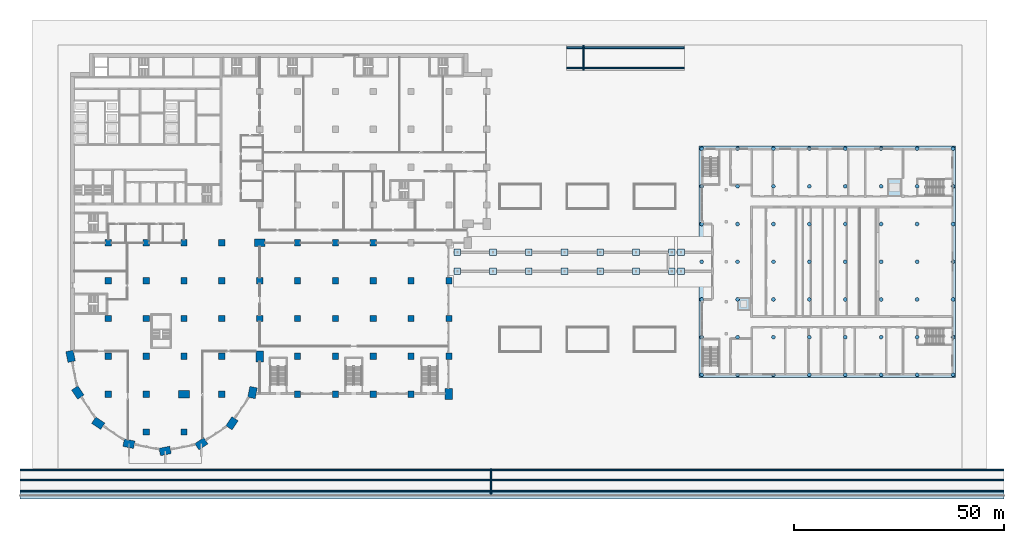
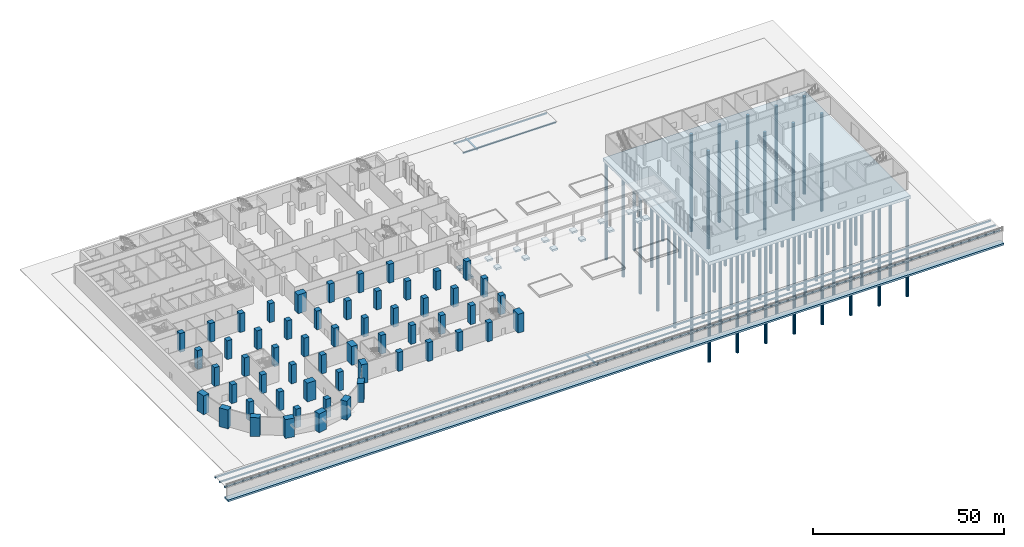
# One storey, part 1 of 47: 57 columns, 56 piles, 25 footings.
"""IFC4 building model written with IfcOpenShell, lengths in metres."""

from ifc_helpers import new_model, si_unit, direction, frame, origin, origin_2d, place, context, subcontext, project, spatial, polyline, rectangle, circle, outline, extrude, material, layer, layer_set, material_profile, profile_set, type_object, element, save


model = new_model("IFC4")

# Units and contexts
model_context = context("Model", 3, precision=1e-05, world=origin(), true_north=direction((0.0, 1.0)))
body_context = subcontext(model_context, "Body", "Model", "MODEL_VIEW")
ifc_project = project(units=[si_unit("LENGTHUNIT", "METRE"), si_unit("AREAUNIT", "SQUARE_METRE"), si_unit("VOLUMEUNIT", "CUBIC_METRE"), si_unit("PLANEANGLEUNIT", "RADIAN"), si_unit("MASSUNIT", "GRAM", prefix="KILO")], contexts=[model_context])

# Site, building, storey
site_placement = place(None, origin())
site = spatial("IfcSite", under=ifc_project, at=site_placement, CompositionType="ELEMENT")
building_placement = place(site_placement, origin())
building = spatial("IfcBuilding", under=site, at=building_placement, Name="Hunhe Ridgeline Campus", CompositionType="ELEMENT")
storey_placement = place(building_placement, origin())
storey = spatial("IfcBuildingStorey", under=building, at=storey_placement, Name="L00", CompositionType="ELEMENT", Elevation=0.0)

# Footings
ifc_material_1 = material(Name="Concrete C40", Category="concrete")
ifc_layer_1 = layer(ifc_material_1, 0.60009765625)
ifc_layer_set_1 = layer_set([ifc_layer_1], Name="Canopy pad footing 1600x1600 C40")
footing_type_1 = type_object("IfcFootingType", Name="Canopy pad footing 1600x1600 C40", PredefinedType="PAD_FOOTING", material=ifc_layer_set_1)
footing_1_placement = place(storey_placement, frame((0.0, 0.0, -1.699951171875)))
element("IfcFooting", 1, at=footing_1_placement, inside=storey, type_object=footing_type_1, Name="Canopy pad footing 1", PredefinedType="PAD_FOOTING", context=body_context, shape_type="SweptSolid", body=[
    extrude(outline(polyline([(92.800048828125, 46.449951171875), (92.800048828125, 48.050048828125), (91.199951171875, 48.050048828125), (91.199951171875, 46.449951171875), (92.800048828125, 46.449951171875)])), origin(), (0.0, 0.0, 1.0), 0.599853515625),
])
footing_2_placement = place(storey_placement, frame((0.0, 0.0, -1.699951171875)))
element("IfcFooting", 2, at=footing_2_placement, inside=storey, type_object=footing_type_1, Name="Canopy pad footing 2", PredefinedType="PAD_FOOTING", context=body_context, shape_type="SweptSolid", body=[
    extrude(outline(polyline([(92.800048828125, 50.949951171875), (92.800048828125, 52.550048828125), (91.199951171875, 52.550048828125), (91.199951171875, 50.949951171875), (92.800048828125, 50.949951171875)])), origin(), (0.0, 0.0, 1.0), 0.599853515625),
])
footing_3_placement = place(storey_placement, frame((0.0, 0.0, -1.699951171875)))
element("IfcFooting", 3, at=footing_3_placement, inside=storey, type_object=footing_type_1, Name="Canopy pad footing 3", PredefinedType="PAD_FOOTING", context=body_context, shape_type="SweptSolid", body=[
    extrude(outline(polyline([(101.300048828125, 46.449951171875), (101.300048828125, 48.050048828125), (99.699951171875, 48.050048828125), (99.699951171875, 46.449951171875), (101.300048828125, 46.449951171875)])), origin(), (0.0, 0.0, 1.0), 0.599853515625),
])
footing_4_placement = place(storey_placement, frame((0.0, 0.0, -1.699951171875)))
element("IfcFooting", 4, at=footing_4_placement, inside=storey, type_object=footing_type_1, Name="Canopy pad footing 4", PredefinedType="PAD_FOOTING", context=body_context, shape_type="SweptSolid", body=[
    extrude(outline(polyline([(101.300048828125, 50.949951171875), (101.300048828125, 52.550048828125), (99.699951171875, 52.550048828125), (99.699951171875, 50.949951171875), (101.300048828125, 50.949951171875)])), origin(), (0.0, 0.0, 1.0), 0.599853515625),
])
footing_5_placement = place(storey_placement, frame((0.0, 0.0, -1.699951171875)))
element("IfcFooting", 5, at=footing_5_placement, inside=storey, type_object=footing_type_1, Name="Canopy pad footing 5", PredefinedType="PAD_FOOTING", context=body_context, shape_type="SweptSolid", body=[
    extrude(outline(polyline([(109.800048828125, 46.449951171875), (109.800048828125, 48.050048828125), (108.199951171875, 48.050048828125), (108.199951171875, 46.449951171875), (109.800048828125, 46.449951171875)])), origin(), (0.0, 0.0, 1.0), 0.599853515625),
])
footing_6_placement = place(storey_placement, frame((0.0, 0.0, -1.699951171875)))
element("IfcFooting", 6, at=footing_6_placement, inside=storey, type_object=footing_type_1, Name="Canopy pad footing 6", PredefinedType="PAD_FOOTING", context=body_context, shape_type="SweptSolid", body=[
    extrude(outline(polyline([(109.800048828125, 50.949951171875), (109.800048828125, 52.550048828125), (108.199951171875, 52.550048828125), (108.199951171875, 50.949951171875), (109.800048828125, 50.949951171875)])), origin(), (0.0, 0.0, 1.0), 0.599853515625),
])
footing_7_placement = place(storey_placement, frame((0.0, 0.0, -1.699951171875)))
element("IfcFooting", 7, at=footing_7_placement, inside=storey, type_object=footing_type_1, Name="Canopy pad footing 7", PredefinedType="PAD_FOOTING", context=body_context, shape_type="SweptSolid", body=[
    extrude(outline(polyline([(118.300048828125, 46.449951171875), (118.300048828125, 48.050048828125), (116.699951171875, 48.050048828125), (116.699951171875, 46.449951171875), (118.300048828125, 46.449951171875)])), origin(), (0.0, 0.0, 1.0), 0.599853515625),
])
footing_8_placement = place(storey_placement, frame((0.0, 0.0, -1.699951171875)))
element("IfcFooting", 8, at=footing_8_placement, inside=storey, type_object=footing_type_1, Name="Canopy pad footing 8", PredefinedType="PAD_FOOTING", context=body_context, shape_type="SweptSolid", body=[
    extrude(outline(polyline([(118.300048828125, 50.949951171875), (118.300048828125, 52.550048828125), (116.699951171875, 52.550048828125), (116.699951171875, 50.949951171875), (118.300048828125, 50.949951171875)])), origin(), (0.0, 0.0, 1.0), 0.599853515625),
])
footing_9_placement = place(storey_placement, frame((0.0, 0.0, -1.699951171875)))
element("IfcFooting", 9, at=footing_9_placement, inside=storey, type_object=footing_type_1, Name="Canopy pad footing 9", PredefinedType="PAD_FOOTING", context=body_context, shape_type="SweptSolid", body=[
    extrude(outline(polyline([(126.800048828125, 46.449951171875), (126.800048828125, 48.050048828125), (125.199951171875, 48.050048828125), (125.199951171875, 46.449951171875), (126.800048828125, 46.449951171875)])), origin(), (0.0, 0.0, 1.0), 0.599853515625),
])
footing_10_placement = place(storey_placement, frame((0.0, 0.0, -1.699951171875)))
element("IfcFooting", 10, at=footing_10_placement, inside=storey, type_object=footing_type_1, Name="Canopy pad footing 10", PredefinedType="PAD_FOOTING", context=body_context, shape_type="SweptSolid", body=[
    extrude(outline(polyline([(126.800048828125, 50.949951171875), (126.800048828125, 52.550048828125), (125.199951171875, 52.550048828125), (125.199951171875, 50.949951171875), (126.800048828125, 50.949951171875)])), origin(), (0.0, 0.0, 1.0), 0.599853515625),
])
footing_11_placement = place(storey_placement, frame((0.0, 0.0, -1.699951171875)))
element("IfcFooting", 11, at=footing_11_placement, inside=storey, type_object=footing_type_1, Name="Canopy pad footing 11", PredefinedType="PAD_FOOTING", context=body_context, shape_type="SweptSolid", body=[
    extrude(outline(polyline([(135.300048828125, 46.449951171875), (135.300048828125, 48.050048828125), (133.699951171875, 48.050048828125), (133.699951171875, 46.449951171875), (135.300048828125, 46.449951171875)])), origin(), (0.0, 0.0, 1.0), 0.599853515625),
])
footing_12_placement = place(storey_placement, frame((0.0, 0.0, -1.699951171875)))
element("IfcFooting", 12, at=footing_12_placement, inside=storey, type_object=footing_type_1, Name="Canopy pad footing 12", PredefinedType="PAD_FOOTING", context=body_context, shape_type="SweptSolid", body=[
    extrude(outline(polyline([(135.300048828125, 50.949951171875), (135.300048828125, 52.550048828125), (133.699951171875, 52.550048828125), (133.699951171875, 50.949951171875), (135.300048828125, 50.949951171875)])), origin(), (0.0, 0.0, 1.0), 0.599853515625),
])
footing_13_placement = place(storey_placement, frame((0.0, 0.0, -1.699951171875)))
element("IfcFooting", 13, at=footing_13_placement, inside=storey, type_object=footing_type_1, Name="Canopy pad footing 13", PredefinedType="PAD_FOOTING", context=body_context, shape_type="SweptSolid", body=[
    extrude(outline(polyline([(143.800048828125, 46.449951171875), (143.800048828125, 48.050048828125), (142.199951171875, 48.050048828125), (142.199951171875, 46.449951171875), (143.800048828125, 46.449951171875)])), origin(), (0.0, 0.0, 1.0), 0.599853515625),
])
footing_14_placement = place(storey_placement, frame((0.0, 0.0, -1.699951171875)))
element("IfcFooting", 14, at=footing_14_placement, inside=storey, type_object=footing_type_1, Name="Canopy pad footing 14", PredefinedType="PAD_FOOTING", context=body_context, shape_type="SweptSolid", body=[
    extrude(outline(polyline([(143.800048828125, 50.949951171875), (143.800048828125, 52.550048828125), (142.199951171875, 52.550048828125), (142.199951171875, 50.949951171875), (143.800048828125, 50.949951171875)])), origin(), (0.0, 0.0, 1.0), 0.599853515625),
])
footing_15_placement = place(storey_placement, frame((0.0, 0.0, -1.699951171875)))
element("IfcFooting", 15, at=footing_15_placement, inside=storey, type_object=footing_type_1, Name="Canopy pad footing 15", PredefinedType="PAD_FOOTING", context=body_context, shape_type="SweptSolid", body=[
    extrude(outline(polyline([(146.0, 46.449951171875), (146.0, 48.050048828125), (144.39990234375, 48.050048828125), (144.39990234375, 46.449951171875), (146.0, 46.449951171875)])), origin(), (0.0, 0.0, 1.0), 0.599853515625),
])
footing_16_placement = place(storey_placement, frame((0.0, 0.0, -1.699951171875)))
element("IfcFooting", 16, at=footing_16_placement, inside=storey, type_object=footing_type_1, Name="Canopy pad footing 16", PredefinedType="PAD_FOOTING", context=body_context, shape_type="SweptSolid", body=[
    extrude(outline(polyline([(146.0, 50.949951171875), (146.0, 52.550048828125), (144.39990234375, 52.550048828125), (144.39990234375, 50.949951171875), (146.0, 50.949951171875)])), origin(), (0.0, 0.0, 1.0), 0.599853515625),
])

# Piles
ifc_material_2 = material(Name="Concrete C35", Category="concrete")
ifc_material_profile_1 = material_profile(ifc_material_2, circle(Radius=0.449951171875, at=origin_2d()))
ifc_profile_set_1 = profile_set([ifc_material_profile_1], Name="Concrete C35")
pile_type = type_object("IfcPileType", Name="Hall bored pile D900 Concrete C35", PredefinedType="BORED", material=ifc_profile_set_1)
for number, where, z_axis, x_axis, name in (
    (17, (150.10009765625, 22.60009765625, -2.800048828125), (0.0, 0.0, -1.0), (1.0, 0.0, 0.0), "Hall bored pile 1"),
    (18, (150.10009765625, 31.56689453125, -2.800048828125), (0.0, 0.0, -1.0), (1.0, 0.0, 0.0), "Hall bored pile 2"),
    (19, (150.10009765625, 40.532958984375, -2.800048828125), (0.0, 0.0, -1.0), (1.0, 0.0, 0.0), "Hall bored pile 3"),
    (20, (150.10009765625, 49.5, -2.800048828125), (0.0, 0.0, -1.0), (1.0, 0.0, 0.0), "Hall bored pile 4"),
    (21, (150.10009765625, 58.467041015625, -2.800048828125), (0.0, 0.0, -1.0), (1.0, 0.0, 0.0), "Hall bored pile 5"),
    (22, (150.10009765625, 67.43310546875, -2.800048828125), (0.0, 0.0, -1.0), (1.0, 0.0, 0.0), "Hall bored pile 6"),
    (23, (150.10009765625, 76.39990234375, -2.800048828125), (0.0, 0.0, -1.0), (1.0, 0.0, 0.0), "Hall bored pile 7"),
    (24, (158.64306640625, 22.60009765625, -2.800048828125), (0.0, 0.0, -1.0), (1.0, 0.0, 0.0), "Hall bored pile 8"),
    (25, (158.64306640625, 31.56689453125, -2.800048828125), (0.0, 0.0, -1.0), (1.0, 0.0, 0.0), "Hall bored pile 9"),
    (26, (158.64306640625, 40.532958984375, -2.800048828125), (0.0, 0.0, -1.0), (1.0, 0.0, 0.0), "Hall bored pile 10"),
    (27, (158.64306640625, 49.5, -2.800048828125), (0.0, 0.0, -1.0), (1.0, 0.0, 0.0), "Hall bored pile 11"),
    (28, (158.64306640625, 58.467041015625, -2.800048828125), (0.0, 0.0, -1.0), (1.0, 0.0, 0.0), "Hall bored pile 12"),
    (29, (158.64306640625, 67.43310546875, -2.800048828125), (0.0, 0.0, -1.0), (1.0, 0.0, 0.0), "Hall bored pile 13"),
    (30, (158.64306640625, 76.39990234375, -2.800048828125), (0.0, 0.0, -1.0), (1.0, 0.0, 0.0), "Hall bored pile 14"),
    (31, (167.18603515625, 22.60009765625, -2.800048828125), (0.0, 0.0, -1.0), (1.0, 0.0, 0.0), "Hall bored pile 15"),
    (32, (167.18603515625, 31.56689453125, -2.800048828125), (0.0, 0.0, -1.0), (1.0, 0.0, 0.0), "Hall bored pile 16"),
    (33, (167.18603515625, 40.532958984375, -2.800048828125), (0.0, 0.0, -1.0), (1.0, 0.0, 0.0), "Hall bored pile 17"),
    (34, (167.18603515625, 49.5, -2.800048828125), (0.0, 0.0, -1.0), (1.0, 0.0, 0.0), "Hall bored pile 18"),
    (35, (167.18603515625, 58.467041015625, -2.800048828125), (0.0, 0.0, -1.0), (1.0, 0.0, 0.0), "Hall bored pile 19"),
    (36, (167.18603515625, 67.43310546875, -2.800048828125), (0.0, 0.0, -1.0), (1.0, 0.0, 0.0), "Hall bored pile 20"),
    (37, (167.18603515625, 76.39990234375, -2.800048828125), (0.0, 0.0, -1.0), (1.0, 0.0, 0.0), "Hall bored pile 21"),
    (38, (175.72900390625, 22.60009765625, -2.800048828125), (0.0, 0.0, -1.0), (1.0, 0.0, 0.0), "Hall bored pile 22"),
    (39, (175.72900390625, 31.56689453125, -2.800048828125), (0.0, 0.0, -1.0), (1.0, 0.0, 0.0), "Hall bored pile 23"),
    (40, (175.72900390625, 40.532958984375, -2.800048828125), (0.0, 0.0, -1.0), (1.0, 0.0, 0.0), "Hall bored pile 24"),
    (41, (175.72900390625, 49.5, -2.800048828125), (0.0, 0.0, -1.0), (1.0, 0.0, 0.0), "Hall bored pile 25"),
    (42, (175.72900390625, 58.467041015625, -2.800048828125), (0.0, 0.0, -1.0), (1.0, 0.0, 0.0), "Hall bored pile 26"),
    (43, (175.72900390625, 67.43310546875, -2.800048828125), (0.0, 0.0, -1.0), (1.0, 0.0, 0.0), "Hall bored pile 27"),
    (44, (175.72900390625, 76.39990234375, -2.800048828125), (0.0, 0.0, -1.0), (1.0, 0.0, 0.0), "Hall bored pile 28"),
    (45, (184.27099609375, 22.60009765625, -2.800048828125), (0.0, 0.0, -1.0), (1.0, 0.0, 0.0), "Hall bored pile 29"),
    (46, (184.27099609375, 31.56689453125, -2.800048828125), (0.0, 0.0, -1.0), (1.0, 0.0, 0.0), "Hall bored pile 30"),
    (47, (184.27099609375, 40.532958984375, -2.800048828125), (0.0, 0.0, -1.0), (1.0, 0.0, 0.0), "Hall bored pile 31"),
    (48, (184.27099609375, 49.5, -2.800048828125), (0.0, 0.0, -1.0), (1.0, 0.0, 0.0), "Hall bored pile 32"),
    (49, (184.27099609375, 58.467041015625, -2.800048828125), (0.0, 0.0, -1.0), (1.0, 0.0, 0.0), "Hall bored pile 33"),
    (50, (184.27099609375, 67.43310546875, -2.800048828125), (0.0, 0.0, -1.0), (1.0, 0.0, 0.0), "Hall bored pile 34"),
    (51, (184.27099609375, 76.39990234375, -2.800048828125), (0.0, 0.0, -1.0), (1.0, 0.0, 0.0), "Hall bored pile 35"),
    (52, (192.81396484375, 22.60009765625, -2.800048828125), (0.0, 0.0, -1.0), (1.0, 0.0, 0.0), "Hall bored pile 36"),
    (53, (192.81396484375, 31.56689453125, -2.800048828125), (0.0, 0.0, -1.0), (1.0, 0.0, 0.0), "Hall bored pile 37"),
    (54, (192.81396484375, 40.532958984375, -2.800048828125), (0.0, 0.0, -1.0), (1.0, 0.0, 0.0), "Hall bored pile 38"),
    (55, (192.81396484375, 49.5, -2.800048828125), (0.0, 0.0, -1.0), (1.0, 0.0, 0.0), "Hall bored pile 39"),
    (56, (192.81396484375, 58.467041015625, -2.800048828125), (0.0, 0.0, -1.0), (1.0, 0.0, 0.0), "Hall bored pile 40"),
    (57, (192.81396484375, 67.43310546875, -2.800048828125), (0.0, 0.0, -1.0), (1.0, 0.0, 0.0), "Hall bored pile 41"),
    (58, (192.81396484375, 76.39990234375, -2.800048828125), (0.0, 0.0, -1.0), (1.0, 0.0, 0.0), "Hall bored pile 42"),
    (59, (201.35693359375, 22.60009765625, -2.800048828125), (0.0, 0.0, -1.0), (1.0, 0.0, 0.0), "Hall bored pile 43"),
    (60, (201.35693359375, 31.56689453125, -2.800048828125), (0.0, 0.0, -1.0), (1.0, 0.0, 0.0), "Hall bored pile 44"),
    (61, (201.35693359375, 40.532958984375, -2.800048828125), (0.0, 0.0, -1.0), (1.0, 0.0, 0.0), "Hall bored pile 45"),
    (62, (201.35693359375, 49.5, -2.800048828125), (0.0, 0.0, -1.0), (1.0, 0.0, 0.0), "Hall bored pile 46"),
    (63, (201.35693359375, 58.467041015625, -2.800048828125), (0.0, 0.0, -1.0), (1.0, 0.0, 0.0), "Hall bored pile 47"),
    (64, (201.35693359375, 67.43310546875, -2.800048828125), (0.0, 0.0, -1.0), (1.0, 0.0, 0.0), "Hall bored pile 48"),
    (65, (201.35693359375, 76.39990234375, -2.800048828125), (0.0, 0.0, -1.0), (1.0, 0.0, 0.0), "Hall bored pile 49"),
    (66, (209.89990234375, 22.60009765625, -2.800048828125), (0.0, 0.0, -1.0), (1.0, 0.0, 0.0), "Hall bored pile 50"),
    (67, (209.89990234375, 31.56689453125, -2.800048828125), (0.0, 0.0, -1.0), (1.0, 0.0, 0.0), "Hall bored pile 51"),
    (68, (209.89990234375, 40.532958984375, -2.800048828125), (0.0, 0.0, -1.0), (1.0, 0.0, 0.0), "Hall bored pile 52"),
    (69, (209.89990234375, 49.5, -2.800048828125), (0.0, 0.0, -1.0), (1.0, 0.0, 0.0), "Hall bored pile 53"),
    (70, (209.89990234375, 58.467041015625, -2.800048828125), (0.0, 0.0, -1.0), (1.0, 0.0, 0.0), "Hall bored pile 54"),
    (71, (209.89990234375, 67.43310546875, -2.800048828125), (0.0, 0.0, -1.0), (1.0, 0.0, 0.0), "Hall bored pile 55"),
    (72, (209.89990234375, 76.39990234375, -2.800048828125), (0.0, 0.0, -1.0), (1.0, 0.0, 0.0), "Hall bored pile 56"),
):
    element("IfcPile", number, at=place(storey_placement, frame(where, z_axis=z_axis, x_axis=x_axis)), inside=storey, type_object=pile_type, Name=name, PredefinedType="BORED", context=body_context, shape_type="SweptSolid", body=[
        extrude(circle(Radius=0.449951171875, at=origin_2d()), origin(), (0.0, 0.0, 1.0), 31.199951171875),
    ])

# Footings
ifc_layer_2 = layer(ifc_material_1, 1.0)
ifc_layer_set_2 = layer_set([ifc_layer_2], Name="Hall pile cap raft 1000 C40")
footing_type_2 = type_object("IfcFootingType", Name="Hall pile cap raft 1000 C40", PredefinedType="PILE_CAP", material=ifc_layer_set_2)
footing_17_placement = place(storey_placement, frame((0.0, 0.0, -2.800048828125)))
element("IfcFooting", 73, at=footing_17_placement, inside=storey, type_object=footing_type_2, Name="Hall raft foundation", PredefinedType="PILE_CAP", context=body_context, shape_type="SweptSolid", body=[
    extrude(outline(polyline([(210.5, 22.0), (210.5, 77.0), (149.5, 77.0), (149.5, 22.0), (210.5, 22.0)])), origin(), (0.0, 0.0, 1.0), 1.0),
])
ifc_material_3 = material(Name="Concrete C30", Category="concrete")
ifc_layer_3 = layer(ifc_material_3, 0.39990234375)
ifc_layer_set_3 = layer_set([ifc_layer_3], Name="Paving ground beam 400x400 C30")
footing_type_3 = type_object("IfcFootingType", Name="Paving ground beam 400x400 C30", PredefinedType="STRIP_FOOTING", material=ifc_layer_set_3)
footing_18_placement = place(storey_placement, frame((0.0, 0.0, -0.64990234375)))
element("IfcFooting", 74, at=footing_18_placement, inside=storey, type_object=footing_type_3, Name="Paving ground beam", PredefinedType="STRIP_FOOTING", context=body_context, shape_type="SweptSolid", body=[
    extrude(outline(polyline([(222.0, -5.199951171875), (222.0, -4.800048828125), (-12.0, -4.800048828125), (-12.0, -5.199951171875), (222.0, -5.199951171875)])), origin(), (0.0, 0.0, 1.0), 0.39990234375),
])
footing_19_placement = place(storey_placement, frame((0.0, 0.0, -0.64990234375)))
element("IfcFooting", 75, at=footing_19_placement, inside=storey, type_object=footing_type_3, Name="Paving ground beam", PredefinedType="STRIP_FOOTING", context=body_context, shape_type="SweptSolid", body=[
    extrude(outline(polyline([(222.0, -2.60009765625), (222.0, -2.199951171875), (-12.0, -2.199951171875), (-12.0, -2.60009765625), (222.0, -2.60009765625)])), origin(), (0.0, 0.0, 1.0), 0.39990234375),
])
footing_20_placement = place(storey_placement, frame((0.0, 0.0, -0.64990234375)))
element("IfcFooting", 76, at=footing_20_placement, inside=storey, type_object=footing_type_3, Name="Paving ground beam", PredefinedType="STRIP_FOOTING", context=body_context, shape_type="SweptSolid", body=[
    extrude(outline(polyline([(222.0, -0.199951171875), (222.0, 0.199951171875), (-12.0, 0.199951171875), (-12.0, -0.199951171875), (222.0, -0.199951171875)])), origin(), (0.0, 0.0, 1.0), 0.39990234375),
])
footing_21_placement = place(storey_placement, frame((0.0, 0.0, -0.64990234375)))
element("IfcFooting", 77, at=footing_21_placement, inside=storey, type_object=footing_type_3, Name="Paving ground beam", PredefinedType="STRIP_FOOTING", context=body_context, shape_type="SweptSolid", body=[
    extrude(outline(polyline([(100.199951171875, -5.75), (100.199951171875, 0.300048828125), (99.800048828125, 0.300048828125), (99.800048828125, -5.75), (100.199951171875, -5.75)])), origin(), (0.0, 0.0, 1.0), 0.39990234375),
])
footing_22_placement = place(storey_placement, frame((0.0, 0.0, -0.64990234375)))
element("IfcFooting", 78, at=footing_22_placement, inside=storey, type_object=footing_type_3, Name="Paving ground beam", PredefinedType="STRIP_FOOTING", context=body_context, shape_type="SweptSolid", body=[
    extrude(outline(polyline([(146.0, 95.39990234375), (146.0, 95.800048828125), (118.0, 95.800048828125), (118.0, 95.39990234375), (146.0, 95.39990234375)])), origin(), (0.0, 0.0, 1.0), 0.39990234375),
])
footing_23_placement = place(storey_placement, frame((0.0, 0.0, -0.64990234375)))
element("IfcFooting", 79, at=footing_23_placement, inside=storey, type_object=footing_type_3, Name="Paving ground beam", PredefinedType="STRIP_FOOTING", context=body_context, shape_type="SweptSolid", body=[
    extrude(outline(polyline([(146.0, 100.199951171875), (146.0, 100.60009765625), (118.0, 100.60009765625), (118.0, 100.199951171875), (146.0, 100.199951171875)])), origin(), (0.0, 0.0, 1.0), 0.39990234375),
])
footing_24_placement = place(storey_placement, frame((0.0, 0.0, -0.64990234375)))
element("IfcFooting", 80, at=footing_24_placement, inside=storey, type_object=footing_type_3, Name="Paving ground beam", PredefinedType="STRIP_FOOTING", context=body_context, shape_type="SweptSolid", body=[
    extrude(outline(polyline([(122.199951171875, 95.0), (122.199951171875, 101.0), (121.800048828125, 101.0), (121.800048828125, 95.0), (122.199951171875, 95.0)])), origin(), (0.0, 0.0, 1.0), 0.39990234375),
])
ifc_layer_4 = layer(ifc_material_1, 0.60009765625)
ifc_layer_set_4 = layer_set([ifc_layer_4], Name="Quay strip footing 1800x600 C40")
footing_type_4 = type_object("IfcFootingType", Name="Quay strip footing 1800x600 C40", PredefinedType="STRIP_FOOTING", material=ifc_layer_set_4)
footing_25_placement = place(storey_placement, frame((0.0, 0.0, -4.10009765625)))
element("IfcFooting", 81, at=footing_25_placement, inside=storey, type_object=footing_type_4, Name="Quay strip footing", PredefinedType="STRIP_FOOTING", context=body_context, shape_type="SweptSolid", body=[
    extrude(outline(polyline([(222.0, -6.89990234375), (222.0, -5.10009765625), (-12.0, -5.10009765625), (-12.0, -6.89990234375), (222.0, -6.89990234375)])), origin(), (0.0, 0.0, 1.0), 0.60009765625),
])

# Columns
ifc_material_4 = material(Name="Concrete C80", Category="concrete")
ifc_material_profile_2 = material_profile(ifc_material_4, rectangle(XDim=2.60009765625, YDim=1.800048828125, at=origin_2d()))
ifc_profile_set_2 = profile_set([ifc_material_profile_2], Name="Concrete C80")
column_type_1 = type_object("IfcColumnType", Name="Megacolumn 2600x1800 Concrete C80", PredefinedType="COLUMN", material=ifc_profile_set_2)
for number, where, z_axis, x_axis, name in (
    (82, (22.5, 4.5, 0.0), (0.0, 0.0, 1.0), (0.980785280403, 0.195090322016, 0.0), "Column C1 R1 L00"),
    (83, (13.8896484375, 6.212646484375, 0.0), (0.0, 0.0, 1.0), (-0.980785280403, 0.195090322016, 0.0), "Column C1 R2 L00"),
    (84, (31.1103515625, 6.212646484375, 0.0), (0.0, 0.0, 1.0), (0.831469612303, 0.55557023302, 0.0), "Column C1 R3 L00"),
    (85, (6.590087890625, 11.090087890625, 0.0), (0.0, 0.0, 1.0), (-0.831469612303, 0.55557023302, 0.0), "Column C1 R4 L00"),
    (86, (38.409912109375, 11.090087890625, 0.0), (0.0, 0.0, 1.0), (0.55557023302, 0.831469612303, 0.0), "Column C1 R5 L00"),
    (87, (1.712646484375, 18.3896484375, 0.0), (0.0, 0.0, 1.0), (-0.55557023302, 0.831469612303, 0.0), "Column C1 R9 L00"),
    (88, (43.287353515625, 18.3896484375, 0.0), (0.0, 0.0, 1.0), (0.195090322016, 0.980785280403, 0.0), "Column C1 R10 L00"),
    (89, (0.0, 27.0, 0.0), (0.0, 0.0, 1.0), (-0.195090322016, 0.980785280403, 0.0), "Column C1 D1 L00"),
    (90, (45.0, 27.0, 0.0), (0.0, 0.0, 1.0), (0.0, 1.0, 0.0), "Column C1 D6 L00"),
    (91, (45.0, 54.0, 0.0), (0.0, 0.0, 1.0), (1.0, 0.0, 0.0), "Column C1 G6 L00"),
    (92, (27.0, 18.0, 0.0), (0.0, 0.0, 1.0), (1.0, 0.0, 0.0), "Column C1 C4 L00"),
    (93, (90.0, 18.0, 0.0), (0.0, 0.0, 1.0), (0.0, 1.0, 0.0), "Column C1 C11 L00"),
):
    element("IfcColumn", number, at=place(storey_placement, frame(where, z_axis=z_axis, x_axis=x_axis)), inside=storey, type_object=column_type_1, Name=name, PredefinedType="COLUMN", context=body_context, shape_type="SweptSolid", body=[
        extrude(rectangle(XDim=2.60009765625, YDim=1.800048828125, at=origin_2d()), origin(), (0.0, 0.0, 1.0), 6.0),
    ])
ifc_material_profile_3 = material_profile(ifc_material_4, rectangle(XDim=1.5, YDim=1.5, at=origin_2d()))
ifc_profile_set_3 = profile_set([ifc_material_profile_3], Name="Concrete C80")
column_type_2 = type_object("IfcColumnType", Name="RC column 1500x1500 Concrete C80", PredefinedType="COLUMN", material=ifc_profile_set_3)
for number, where, z_axis, x_axis, name in (
    (94, (45.0, 36.0, 0.0), (0.0, 0.0, 1.0), (1.0, 0.0, 0.0), "Column C2 E6 L00"),
    (95, (45.0, 45.0, 0.0), (0.0, 0.0, 1.0), (1.0, 0.0, 0.0), "Column C2 F6 L00"),
    (96, (54.0, 54.0, 0.0), (0.0, 0.0, 1.0), (1.0, 0.0, 0.0), "Column C2 G7 L00"),
    (97, (63.0, 54.0, 0.0), (0.0, 0.0, 1.0), (1.0, 0.0, 0.0), "Column C2 G8 L00"),
    (98, (72.0, 54.0, 0.0), (0.0, 0.0, 1.0), (1.0, 0.0, 0.0), "Column C2 G9 L00"),
    (99, (9.0, 18.0, 0.0), (0.0, 0.0, 1.0), (1.0, 0.0, 0.0), "Column C2 C2 L00"),
    (100, (9.0, 27.0, 0.0), (0.0, 0.0, 1.0), (1.0, 0.0, 0.0), "Column C2 D2 L00"),
    (101, (9.0, 36.0, 0.0), (0.0, 0.0, 1.0), (1.0, 0.0, 0.0), "Column C2 E2 L00"),
    (102, (9.0, 45.0, 0.0), (0.0, 0.0, 1.0), (1.0, 0.0, 0.0), "Column C2 F2 L00"),
    (103, (9.0, 54.0, 0.0), (0.0, 0.0, 1.0), (1.0, 0.0, 0.0), "Column C2 G2 L00"),
    (104, (18.0, 18.0, 0.0), (0.0, 0.0, 1.0), (1.0, 0.0, 0.0), "Column C2 C3 L00"),
    (105, (18.0, 27.0, 0.0), (0.0, 0.0, 1.0), (1.0, 0.0, 0.0), "Column C2 D3 L00"),
    (106, (18.0, 36.0, 0.0), (0.0, 0.0, 1.0), (1.0, 0.0, 0.0), "Column C2 E3 L00"),
    (107, (18.0, 45.0, 0.0), (0.0, 0.0, 1.0), (1.0, 0.0, 0.0), "Column C2 F3 L00"),
    (108, (18.0, 54.0, 0.0), (0.0, 0.0, 1.0), (1.0, 0.0, 0.0), "Column C2 G3 L00"),
    (109, (27.0, 27.0, 0.0), (0.0, 0.0, 1.0), (1.0, 0.0, 0.0), "Column C2 D4 L00"),
    (110, (27.0, 36.0, 0.0), (0.0, 0.0, 1.0), (1.0, 0.0, 0.0), "Column C2 E4 L00"),
    (111, (27.0, 45.0, 0.0), (0.0, 0.0, 1.0), (1.0, 0.0, 0.0), "Column C2 F4 L00"),
    (112, (27.0, 54.0, 0.0), (0.0, 0.0, 1.0), (1.0, 0.0, 0.0), "Column C2 G4 L00"),
    (113, (36.0, 18.0, 0.0), (0.0, 0.0, 1.0), (1.0, 0.0, 0.0), "Column C2 C5 L00"),
    (114, (36.0, 27.0, 0.0), (0.0, 0.0, 1.0), (1.0, 0.0, 0.0), "Column C2 D5 L00"),
    (115, (36.0, 36.0, 0.0), (0.0, 0.0, 1.0), (1.0, 0.0, 0.0), "Column C2 E5 L00"),
    (116, (36.0, 45.0, 0.0), (0.0, 0.0, 1.0), (1.0, 0.0, 0.0), "Column C2 F5 L00"),
    (117, (36.0, 54.0, 0.0), (0.0, 0.0, 1.0), (1.0, 0.0, 0.0), "Column C2 G5 L00"),
    (118, (54.0, 18.0, 0.0), (0.0, 0.0, 1.0), (1.0, 0.0, 0.0), "Column C2 C7 L00"),
    (119, (63.0, 18.0, 0.0), (0.0, 0.0, 1.0), (1.0, 0.0, 0.0), "Column C2 C8 L00"),
    (120, (72.0, 18.0, 0.0), (0.0, 0.0, 1.0), (1.0, 0.0, 0.0), "Column C2 C9 L00"),
    (121, (81.0, 18.0, 0.0), (0.0, 0.0, 1.0), (1.0, 0.0, 0.0), "Column C2 C10 L00"),
    (122, (90.0, 27.0, 0.0), (0.0, 0.0, 1.0), (1.0, 0.0, 0.0), "Column C2 D11 L00"),
    (123, (90.0, 36.0, 0.0), (0.0, 0.0, 1.0), (1.0, 0.0, 0.0), "Column C2 E11 L00"),
    (124, (90.0, 45.0, 0.0), (0.0, 0.0, 1.0), (1.0, 0.0, 0.0), "Column C2 F11 L00"),
    (125, (18.0, 9.0, 0.0), (0.0, 0.0, 1.0), (1.0, 0.0, 0.0), "Column C2 B3 L00"),
    (126, (27.0, 9.0, 0.0), (0.0, 0.0, 1.0), (1.0, 0.0, 0.0), "Column C2 B4 L00"),
    (127, (54.0, 27.0, 0.0), (0.0, 0.0, 1.0), (1.0, 0.0, 0.0), "Column C2 D7 L00"),
    (128, (54.0, 36.0, 0.0), (0.0, 0.0, 1.0), (1.0, 0.0, 0.0), "Column C2 E7 L00"),
    (129, (54.0, 45.0, 0.0), (0.0, 0.0, 1.0), (1.0, 0.0, 0.0), "Column C2 F7 L00"),
    (130, (63.0, 27.0, 0.0), (0.0, 0.0, 1.0), (1.0, 0.0, 0.0), "Column C2 D8 L00"),
    (131, (63.0, 36.0, 0.0), (0.0, 0.0, 1.0), (1.0, 0.0, 0.0), "Column C2 E8 L00"),
    (132, (63.0, 45.0, 0.0), (0.0, 0.0, 1.0), (1.0, 0.0, 0.0), "Column C2 F8 L00"),
    (133, (72.0, 27.0, 0.0), (0.0, 0.0, 1.0), (1.0, 0.0, 0.0), "Column C2 D9 L00"),
    (134, (72.0, 36.0, 0.0), (0.0, 0.0, 1.0), (1.0, 0.0, 0.0), "Column C2 E9 L00"),
    (135, (72.0, 45.0, 0.0), (0.0, 0.0, 1.0), (1.0, 0.0, 0.0), "Column C2 F9 L00"),
    (136, (81.0, 27.0, 0.0), (0.0, 0.0, 1.0), (1.0, 0.0, 0.0), "Column C2 D10 L00"),
    (137, (81.0, 36.0, 0.0), (0.0, 0.0, 1.0), (1.0, 0.0, 0.0), "Column C2 E10 L00"),
    (138, (81.0, 45.0, 0.0), (0.0, 0.0, 1.0), (1.0, 0.0, 0.0), "Column C2 F10 L00"),
):
    element("IfcColumn", number, at=place(storey_placement, frame(where, z_axis=z_axis, x_axis=x_axis)), inside=storey, type_object=column_type_2, Name=name, PredefinedType="COLUMN", context=body_context, shape_type="SweptSolid", body=[
        extrude(rectangle(XDim=1.5, YDim=1.5, at=origin_2d()), origin(), (0.0, 0.0, 1.0), 6.0),
    ])

save(model, "model.ifc")
